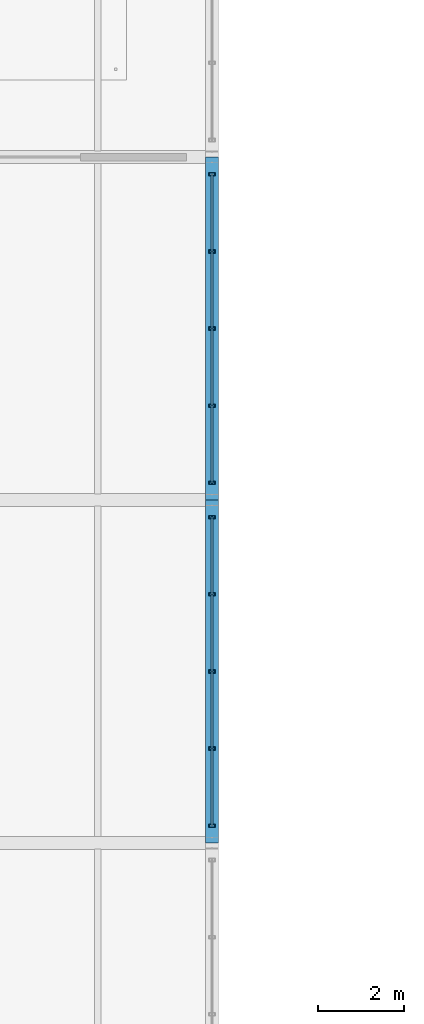
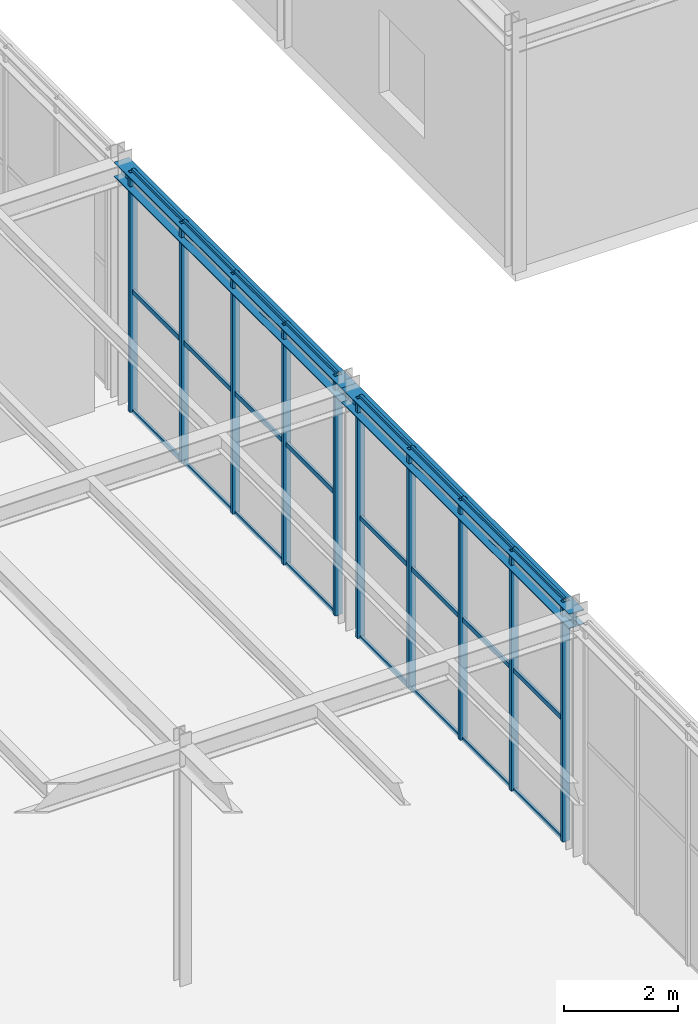
# One storey, part 48 of 129: 34 members, 2 beams, 2 elements without a shape of their own.
"""IFC4 building model written with IfcOpenShell, lengths in metres."""

import ifcopenshell
import ifcopenshell.guid

model = None  # the IFC model being written
_history = None  # IfcOwnerHistory: only IFC2X3 demands one
_inside = {}  # id of a spatial element -> (the spatial element, [elements in it])
_under = {}  # id of a project, library or spatial element -> (it, [spatial elements below it])
_declared = {}  # id of a project -> (the project, [libraries it declares])
_typed = {}  # id of a type object -> (the type object, [elements of that type])
_made_of = {}  # id of a material, layer set ... -> (it, [elements and type objects made of it])


def new_model(schema):
    """Start an empty IFC model of exactly this schema.

    Asked for "IFC4X3", IfcOpenShell would pick the latest addendum, in which some entities
    have other attributes; the version numbers below select the first issue.
    IFC2X3 requires an IfcOwnerHistory on every rooted entity: one is made here for all.
    """
    global model, _history
    if schema == "IFC4X3":
        model = ifcopenshell.file(schema_version=(4, 3, 0, 0))
    else:
        model = ifcopenshell.file(schema=schema)
    _inside.clear()
    _under.clear()
    _declared.clear()
    _typed.clear()
    _made_of.clear()
    _history = None
    if model.schema == "IFC2X3":
        org = make("IfcOrganization", Name="unknown")
        user = make(
            "IfcPersonAndOrganization",
            ThePerson=make("IfcPerson", FamilyName="unknown"),
            TheOrganization=org,
        )
        app = make(
            "IfcApplication",
            ApplicationDeveloper=org,
            Version="unknown",
            ApplicationFullName="unknown",
            ApplicationIdentifier="unknown",
        )
        _history = make(
            "IfcOwnerHistory",
            OwningUser=user,
            OwningApplication=app,
            ChangeAction="ADDED",
            CreationDate=0,
        )
    return model


def make(cls, **values):
    """One entity of the class cls with the attributes given. An attribute that is None is left unset."""
    return model.create_entity(
        cls, **{name: value for name, value in values.items() if value is not None}
    )


def rooted(cls, **values):
    """An entity with a GlobalId (a new one), such as an element, a storey or a relation."""
    return make(cls, GlobalId=ifcopenshell.guid.new(), OwnerHistory=_history, **values)


def si_unit(unit_type, name, prefix=None):
    """IfcSIUnit, for example si_unit("LENGTHUNIT", "METRE", prefix="MILLI")."""
    return make("IfcSIUnit", UnitType=unit_type, Prefix=prefix, Name=name)


def assignment(units):
    """IfcUnitAssignment: the units of a project."""
    return None if units is None else make("IfcUnitAssignment", Units=units)


def point(xyz):
    """IfcCartesianPoint."""
    return None if xyz is None else make("IfcCartesianPoint", Coordinates=xyz)


def direction(xyz):
    """IfcDirection."""
    return None if xyz is None else make("IfcDirection", DirectionRatios=xyz)


def frame(location, z_axis=None, x_axis=None):
    """IfcAxis2Placement3D, a coordinate frame: its origin and axes. An axis left out is left unset."""
    return make(
        "IfcAxis2Placement3D",
        Location=point(location),
        Axis=direction(z_axis),
        RefDirection=direction(x_axis),
    )


def frame_2d(location, x_axis=None):
    """IfcAxis2Placement2D, a coordinate frame in the plane: its origin and x axis."""
    return make(
        "IfcAxis2Placement2D", Location=point(location), RefDirection=direction(x_axis)
    )


def origin():
    """The frame at (0, 0, 0) with its axes left unset."""
    return frame((0.0, 0.0, 0.0))


def origin_2d():
    """The frame at (0, 0) in the plane with its x axis left unset."""
    return frame_2d((0.0, 0.0))


def place(relative_to, where):
    """IfcLocalPlacement: puts the frame where relative to a parent placement (None: the world)."""
    return make(
        "IfcLocalPlacement", PlacementRelTo=relative_to, RelativePlacement=where
    )


def context(
    kind, dimensions, precision=None, world=None, true_north=None, identifier=None
):
    """IfcGeometricRepresentationContext, for example the 3D "Model" context."""
    return make(
        "IfcGeometricRepresentationContext",
        ContextIdentifier=identifier,
        ContextType=kind,
        CoordinateSpaceDimension=dimensions,
        Precision=precision,
        WorldCoordinateSystem=world,
        TrueNorth=true_north,
    )


def subcontext(parent, identifier, kind, view, scale=None):
    """IfcGeometricRepresentationSubContext, for example "Body" below "Model"."""
    return make(
        "IfcGeometricRepresentationSubContext",
        ContextIdentifier=identifier,
        ContextType=kind,
        ParentContext=parent,
        TargetScale=scale,
        TargetView=view,
    )


def project(units=None, contexts=None):
    """IfcProject with its units and contexts."""
    return rooted(
        "IfcProject",
        Name="project",
        RepresentationContexts=contexts,
        UnitsInContext=assignment(units),
    )


def spatial(cls, under=None, at=None, **own):
    """A site, building, storey or space (cls), placed at a placement, below another one or the project."""
    s = rooted(cls, ObjectPlacement=at, **own)
    if under is not None:
        _under.setdefault(under.id(), (under, []))[1].append(s)
    return s


def profile(cls, at=None, kind="AREA", **sizes):
    """A parametric profile (cls). Its sizes go by their IFC names, for example OverallWidth=200.0."""
    return make(cls, ProfileType=kind, Position=at, **sizes)


def hollow_rectangle(**sizes):
    """IfcRectangleHollowProfileDef."""
    return profile("IfcRectangleHollowProfileDef", **sizes)


def i_section(**sizes):
    """IfcIShapeProfileDef."""
    return profile("IfcIShapeProfileDef", **sizes)


def extrude(swept, where, along, depth):
    """IfcExtrudedAreaSolid: the profile swept, set in the frame where, extruded along a direction by depth."""
    return make(
        "IfcExtrudedAreaSolid",
        SweptArea=swept,
        Position=where,
        ExtrudedDirection=direction(along),
        Depth=depth,
    )


def shape(context_of_items, identifier, shape_type, items):
    """IfcShapeRepresentation: the items that make up one representation, for example the "Body"."""
    return make(
        "IfcShapeRepresentation",
        ContextOfItems=context_of_items,
        RepresentationIdentifier=identifier,
        RepresentationType=shape_type,
        Items=items,
    )


def material(Name=None, Category=None):
    """IfcMaterial."""
    return make("IfcMaterial", Name=Name, Category=Category)


def material_profile(
    of_material, cross_section, Name=None, Category=None, Priority=None
):
    """IfcMaterialProfile: a cross section and its material."""
    return make(
        "IfcMaterialProfile",
        Name=Name,
        Material=of_material,
        Profile=cross_section,
        Priority=Priority,
        Category=Category,
    )


def profile_set(profiles, Name=None, composite=None):
    """IfcMaterialProfileSet."""
    return make(
        "IfcMaterialProfileSet",
        Name=Name,
        MaterialProfiles=profiles,
        CompositeProfile=composite,
    )


def made_of(thing, what):
    """Note that an element or type object is made of a material, layer set ...; save() writes the relation."""
    if what is not None:
        _made_of.setdefault(what.id(), (what, []))[1].append(thing)
    return thing


def type_object(cls, material=None, **own):
    """A type object (cls), such as IfcWallType, which elements share."""
    return made_of(rooted(cls, **own), material)


def element(
    cls,
    number,
    at=None,
    inside=None,
    cuts=None,
    type_object=None,
    material=None,
    context=None,
    identifier="Body",
    shape_type=None,
    held_by="IfcProductDefinitionShape",
    body=None,
    shapes=None,
    **own,
):
    """One element of the class cls, such as IfcWall. Its Tag is "e" and its number.

    at: its placement. inside: the storey or other place that contains it. cuts: it is an
    opening in that element (IfcRelVoidsElement). A single representation is given by context,
    identifier, shape_type and body (its items); several are given by shapes. held_by: the class
    of the entity that holds the representations. save() writes the other relations.
    """
    e = rooted(cls, Tag="e%d" % number, ObjectPlacement=at, **own)
    if body is not None:
        shapes = [shape(context, identifier, shape_type, body)]
    if shapes is not None:
        e.Representation = make(held_by, Representations=shapes)
    if inside is not None:
        _inside.setdefault(inside.id(), (inside, []))[1].append(e)
    if cuts is not None:
        rooted(
            "IfcRelVoidsElement", RelatingBuildingElement=cuts, RelatedOpeningElement=e
        )
    if type_object is not None:
        _typed.setdefault(type_object.id(), (type_object, []))[1].append(e)
    return made_of(e, material)


def aggregate(whole, parts):
    """IfcRelAggregates: a whole, such as a stair, and the parts it consists of."""
    return rooted("IfcRelAggregates", RelatingObject=whole, RelatedObjects=parts)


def save(model, path):
    """Write the relations noted so far, then the file.

    IfcRelAggregates (storeys below a building ...), IfcRelContainedInSpatialStructure (elements
    in a storey), IfcRelDefinesByType, IfcRelAssociatesMaterial and IfcRelDeclares: one each for
    every whole, place, type object, material and project.
    """
    for whole, parts in _under.values():
        aggregate(whole, parts)
    for where, things in _inside.values():
        rooted(
            "IfcRelContainedInSpatialStructure",
            RelatedElements=things,
            RelatingStructure=where,
        )
    for kind, things in _typed.values():
        rooted("IfcRelDefinesByType", RelatedObjects=things, RelatingType=kind)
    for what, things in _made_of.values():
        rooted("IfcRelAssociatesMaterial", RelatedObjects=things, RelatingMaterial=what)
    for by, libraries in _declared.values():
        rooted("IfcRelDeclares", RelatingContext=by, RelatedDefinitions=libraries)
    model.write(path)


model = new_model("IFC4")

# Units and contexts
model_context = context("Model", 3, precision=1e-05, world=origin(), true_north=direction((0.0, 1.0)))
body_context = subcontext(model_context, "Body", "Model", "MODEL_VIEW")
ifc_project = project(units=[si_unit("LENGTHUNIT", "METRE"), si_unit("AREAUNIT", "SQUARE_METRE"), si_unit("VOLUMEUNIT", "CUBIC_METRE"), si_unit("PLANEANGLEUNIT", "RADIAN"), si_unit("MASSUNIT", "GRAM", prefix="KILO")], contexts=[model_context])

# Site, building, storey
site_placement = place(None, origin())
site = spatial("IfcSite", under=ifc_project, at=site_placement, CompositionType="ELEMENT")
building_placement = place(site_placement, origin())
building = spatial("IfcBuilding", under=site, at=building_placement, Name="Sundkrona Museum", CompositionType="ELEMENT")
storey_placement = place(building_placement, origin())
storey = spatial("IfcBuildingStorey", under=building, at=storey_placement, Name="L00", CompositionType="ELEMENT", Elevation=0.0)

# Curtain wall, members
ifc_material_1 = material(Name="Unitised Aluminium-Steel and Ceramic-Clad Curtain Walling", Category="steel")
curtain_wall_type = type_object("IfcCurtainWallType", Name="CW-PS-74x48", PredefinedType="NOTDEFINED", material=ifc_material_1)
curtain_wall_1_placement = place(storey_placement, origin())
curtain_wall_1 = element("IfcCurtainWall", 1, at=curtain_wall_1_placement, inside=storey, type_object=curtain_wall_type, Name="L00 Curtain Wall CW-L00-099", PredefinedType="NOTDEFINED")
ifc_material_2 = material(Name="Aluminium EN AW-6060 T66", Category="aluminium")
ifc_material_profile_1 = material_profile(ifc_material_2, hollow_rectangle(XDim=0.074951171875, YDim=0.14990234375, WallThickness=0.00634765625, at=origin_2d()), Name="RHS 150x75x6.3")
ifc_profile_set_1 = profile_set([ifc_material_profile_1], Name="Aluminium EN AW-6060 T66")
member_type_1 = type_object("IfcMemberType", Name="ML-150", PredefinedType="MULLION", material=ifc_profile_set_1)
member_1_placement = place(storey_placement, frame((96.0, 62.39990234375, -0.00390625), z_axis=(0.0, 0.0, 1.0), x_axis=(0.0, 1.0, 0.0)))
member_1 = element("IfcMember", 2, at=member_1_placement, type_object=member_type_1, Name="CW-L00-099 Mullion 01", PredefinedType="MULLION", context=body_context, shape_type="SweptSolid", body=[
    extrude(hollow_rectangle(XDim=0.074951171875, YDim=0.14990234375, WallThickness=0.00634765625, at=origin_2d()), origin(), (0.0, 0.0, 1.0), 5.14794921875),
])
member_2_placement = place(storey_placement, frame((96.0, 64.199951171875, -0.00390625), z_axis=(0.0, 0.0, 1.0), x_axis=(0.0, 1.0, 0.0)))
member_2 = element("IfcMember", 3, at=member_2_placement, type_object=member_type_1, Name="CW-L00-099 Mullion 02", PredefinedType="MULLION", context=body_context, shape_type="SweptSolid", body=[
    extrude(hollow_rectangle(XDim=0.074951171875, YDim=0.14990234375, WallThickness=0.00634765625, at=origin_2d()), origin(), (0.0, 0.0, 1.0), 5.14794921875),
])
member_3_placement = place(storey_placement, frame((96.0, 66.0, -0.00390625), z_axis=(0.0, 0.0, 1.0), x_axis=(0.0, 1.0, 0.0)))
member_3 = element("IfcMember", 4, at=member_3_placement, type_object=member_type_1, Name="CW-L00-099 Mullion 03", PredefinedType="MULLION", context=body_context, shape_type="SweptSolid", body=[
    extrude(hollow_rectangle(XDim=0.074951171875, YDim=0.14990234375, WallThickness=0.00634765625, at=origin_2d()), origin(), (0.0, 0.0, 1.0), 5.14794921875),
])
member_4_placement = place(storey_placement, frame((96.0, 67.800048828125, -0.00390625), z_axis=(0.0, 0.0, 1.0), x_axis=(0.0, 1.0, 0.0)))
member_4 = element("IfcMember", 5, at=member_4_placement, type_object=member_type_1, Name="CW-L00-099 Mullion 04", PredefinedType="MULLION", context=body_context, shape_type="SweptSolid", body=[
    extrude(hollow_rectangle(XDim=0.074951171875, YDim=0.14990234375, WallThickness=0.00634765625, at=origin_2d()), origin(), (0.0, 0.0, 1.0), 5.14794921875),
])
member_5_placement = place(storey_placement, frame((96.0, 69.60009765625, -0.00390625), z_axis=(0.0, 0.0, 1.0), x_axis=(0.0, 1.0, 0.0)))
member_5 = element("IfcMember", 6, at=member_5_placement, type_object=member_type_1, Name="CW-L00-099 Mullion 05", PredefinedType="MULLION", context=body_context, shape_type="SweptSolid", body=[
    extrude(hollow_rectangle(XDim=0.074951171875, YDim=0.14990234375, WallThickness=0.00634765625, at=origin_2d()), origin(), (0.0, 0.0, 1.0), 5.14794921875),
])

curtain_wall_2_placement = place(storey_placement, origin())
curtain_wall_2 = element("IfcCurtainWall", 7, at=curtain_wall_2_placement, inside=storey, type_object=curtain_wall_type, Name="L00 Curtain Wall CW-L00-101", PredefinedType="NOTDEFINED")
member_6_placement = place(storey_placement, frame((96.0, 70.39990234375, -0.00390625), z_axis=(0.0, 0.0, 1.0), x_axis=(0.0, 1.0, 0.0)))
member_6 = element("IfcMember", 8, at=member_6_placement, type_object=member_type_1, Name="CW-L00-101 Mullion 01", PredefinedType="MULLION", context=body_context, shape_type="SweptSolid", body=[
    extrude(hollow_rectangle(XDim=0.074951171875, YDim=0.14990234375, WallThickness=0.00634765625, at=origin_2d()), origin(), (0.0, 0.0, 1.0), 5.14794921875),
])
member_7_placement = place(storey_placement, frame((96.0, 72.199951171875, -0.00390625), z_axis=(0.0, 0.0, 1.0), x_axis=(0.0, 1.0, 0.0)))
member_7 = element("IfcMember", 9, at=member_7_placement, type_object=member_type_1, Name="CW-L00-101 Mullion 02", PredefinedType="MULLION", context=body_context, shape_type="SweptSolid", body=[
    extrude(hollow_rectangle(XDim=0.074951171875, YDim=0.14990234375, WallThickness=0.00634765625, at=origin_2d()), origin(), (0.0, 0.0, 1.0), 5.14794921875),
])
member_8_placement = place(storey_placement, frame((96.0, 74.0, -0.00390625), z_axis=(0.0, 0.0, 1.0), x_axis=(0.0, 1.0, 0.0)))
member_8 = element("IfcMember", 10, at=member_8_placement, type_object=member_type_1, Name="CW-L00-101 Mullion 03", PredefinedType="MULLION", context=body_context, shape_type="SweptSolid", body=[
    extrude(hollow_rectangle(XDim=0.074951171875, YDim=0.14990234375, WallThickness=0.00634765625, at=origin_2d()), origin(), (0.0, 0.0, 1.0), 5.14794921875),
])
member_9_placement = place(storey_placement, frame((96.0, 75.800048828125, -0.00390625), z_axis=(0.0, 0.0, 1.0), x_axis=(0.0, 1.0, 0.0)))
member_9 = element("IfcMember", 11, at=member_9_placement, type_object=member_type_1, Name="CW-L00-101 Mullion 04", PredefinedType="MULLION", context=body_context, shape_type="SweptSolid", body=[
    extrude(hollow_rectangle(XDim=0.074951171875, YDim=0.14990234375, WallThickness=0.00634765625, at=origin_2d()), origin(), (0.0, 0.0, 1.0), 5.14794921875),
])
member_10_placement = place(storey_placement, frame((96.0, 77.60009765625, -0.00390625), z_axis=(0.0, 0.0, 1.0), x_axis=(0.0, 1.0, 0.0)))
member_10 = element("IfcMember", 12, at=member_10_placement, type_object=member_type_1, Name="CW-L00-101 Mullion 05", PredefinedType="MULLION", context=body_context, shape_type="SweptSolid", body=[
    extrude(hollow_rectangle(XDim=0.074951171875, YDim=0.14990234375, WallThickness=0.00634765625, at=origin_2d()), origin(), (0.0, 0.0, 1.0), 5.14794921875),
])

# Beams
ifc_material_3 = material(Name="Steel S355J2", Category="steel")
ifc_material_profile_2 = material_profile(ifc_material_3, i_section(OverallWidth=0.300048828125, OverallDepth=0.320068359375, WebThickness=0.011474609375, FlangeThickness=0.0205078125, FilletRadius=0.027099609375, at=origin_2d()), Name="HEB 320")
ifc_profile_set_2 = profile_set([ifc_material_profile_2], Name="Steel S355J2")
beam_type = type_object("IfcBeamType", Name="SP-HEB320", PredefinedType="SPANDREL", material=ifc_profile_set_2)
for number, where, z_axis, x_axis, name in (
    (13, (96.0, 62.0, 4.97998046875), (0.0, 1.0, 0.0), (-1.0, 0.0, 0.0), "L00 Girder Y-0704"),
    (14, (96.0, 70.0, 4.97998046875), (0.0, 1.0, 0.0), (-1.0, 0.0, 0.0), "L00 Girder Y-0705"),
):
    element("IfcBeam", number, at=place(storey_placement, frame(where, z_axis=z_axis, x_axis=x_axis)), inside=storey, type_object=beam_type, Name=name, PredefinedType="SPANDREL", context=body_context, shape_type="SweptSolid", body=[
        extrude(i_section(OverallWidth=0.300048828125, OverallDepth=0.320068359375, WebThickness=0.011474609375, FlangeThickness=0.0205078125, FilletRadius=0.027099609375, at=origin_2d()), origin(), (0.0, 0.0, 1.0), 8.0),
    ])

# Member
ifc_material_profile_3 = material_profile(ifc_material_2, hollow_rectangle(XDim=0.050048828125, YDim=0.10009765625, WallThickness=0.0048828125, at=origin_2d()), Name="RHS 100x50x5.0")
ifc_profile_set_3 = profile_set([ifc_material_profile_3], Name="Aluminium EN AW-6060 T66")
member_type_2 = type_object("IfcMemberType", Name="TR-100", PredefinedType="USERDEFINED", material=ifc_profile_set_3)
member_11_placement = place(storey_placement, frame((96.0, 62.39990234375, -0.00390625), z_axis=(0.0, 1.0, 0.0), x_axis=(-1.0, 0.0, 0.0)))
member_11 = element("IfcMember", 15, at=member_11_placement, type_object=member_type_2, Name="CW-L00-099 Transom 01", ObjectType="TRANSOM", PredefinedType="USERDEFINED", context=body_context, shape_type="SweptSolid", body=[
    extrude(hollow_rectangle(XDim=0.050048828125, YDim=0.10009765625, WallThickness=0.0048828125, at=origin_2d()), origin(), (0.0, 0.0, 1.0), 1.800048828125),
])

member_12_placement = place(storey_placement, frame((96.0, 62.39990234375, 2.570068359375), z_axis=(0.0, 1.0, 0.0), x_axis=(-1.0, 0.0, 0.0)))
member_12 = element("IfcMember", 16, at=member_12_placement, type_object=member_type_2, Name="CW-L00-099 Transom 02", ObjectType="TRANSOM", PredefinedType="USERDEFINED", context=body_context, shape_type="SweptSolid", body=[
    extrude(hollow_rectangle(XDim=0.050048828125, YDim=0.10009765625, WallThickness=0.0048828125, at=origin_2d()), origin(), (0.0, 0.0, 1.0), 1.800048828125),
])

member_13_placement = place(storey_placement, frame((96.0, 62.39990234375, 5.14404296875), z_axis=(0.0, 1.0, 0.0), x_axis=(-1.0, 0.0, 0.0)))
member_13 = element("IfcMember", 17, at=member_13_placement, type_object=member_type_2, Name="CW-L00-099 Transom 03", ObjectType="TRANSOM", PredefinedType="USERDEFINED", context=body_context, shape_type="SweptSolid", body=[
    extrude(hollow_rectangle(XDim=0.050048828125, YDim=0.10009765625, WallThickness=0.0048828125, at=origin_2d()), origin(), (0.0, 0.0, 1.0), 1.800048828125),
])

member_14_placement = place(storey_placement, frame((96.0, 64.199951171875, -0.00390625), z_axis=(0.0, 1.0, 0.0), x_axis=(-1.0, 0.0, 0.0)))
member_14 = element("IfcMember", 18, at=member_14_placement, type_object=member_type_2, Name="CW-L00-099 Transom 04", ObjectType="TRANSOM", PredefinedType="USERDEFINED", context=body_context, shape_type="SweptSolid", body=[
    extrude(hollow_rectangle(XDim=0.050048828125, YDim=0.10009765625, WallThickness=0.0048828125, at=origin_2d()), origin(), (0.0, 0.0, 1.0), 1.800048828125),
])

member_15_placement = place(storey_placement, frame((96.0, 64.199951171875, 2.570068359375), z_axis=(0.0, 1.0, 0.0), x_axis=(-1.0, 0.0, 0.0)))
member_15 = element("IfcMember", 19, at=member_15_placement, type_object=member_type_2, Name="CW-L00-099 Transom 05", ObjectType="TRANSOM", PredefinedType="USERDEFINED", context=body_context, shape_type="SweptSolid", body=[
    extrude(hollow_rectangle(XDim=0.050048828125, YDim=0.10009765625, WallThickness=0.0048828125, at=origin_2d()), origin(), (0.0, 0.0, 1.0), 1.800048828125),
])

member_16_placement = place(storey_placement, frame((96.0, 64.199951171875, 5.14404296875), z_axis=(0.0, 1.0, 0.0), x_axis=(-1.0, 0.0, 0.0)))
member_16 = element("IfcMember", 20, at=member_16_placement, type_object=member_type_2, Name="CW-L00-099 Transom 06", ObjectType="TRANSOM", PredefinedType="USERDEFINED", context=body_context, shape_type="SweptSolid", body=[
    extrude(hollow_rectangle(XDim=0.050048828125, YDim=0.10009765625, WallThickness=0.0048828125, at=origin_2d()), origin(), (0.0, 0.0, 1.0), 1.800048828125),
])

member_17_placement = place(storey_placement, frame((96.0, 66.0, -0.00390625), z_axis=(0.0, 1.0, 0.0), x_axis=(-1.0, 0.0, 0.0)))
member_17 = element("IfcMember", 21, at=member_17_placement, type_object=member_type_2, Name="CW-L00-099 Transom 07", ObjectType="TRANSOM", PredefinedType="USERDEFINED", context=body_context, shape_type="SweptSolid", body=[
    extrude(hollow_rectangle(XDim=0.050048828125, YDim=0.10009765625, WallThickness=0.0048828125, at=origin_2d()), origin(), (0.0, 0.0, 1.0), 1.800048828125),
])

member_18_placement = place(storey_placement, frame((96.0, 66.0, 2.570068359375), z_axis=(0.0, 1.0, 0.0), x_axis=(-1.0, 0.0, 0.0)))
member_18 = element("IfcMember", 22, at=member_18_placement, type_object=member_type_2, Name="CW-L00-099 Transom 08", ObjectType="TRANSOM", PredefinedType="USERDEFINED", context=body_context, shape_type="SweptSolid", body=[
    extrude(hollow_rectangle(XDim=0.050048828125, YDim=0.10009765625, WallThickness=0.0048828125, at=origin_2d()), origin(), (0.0, 0.0, 1.0), 1.800048828125),
])

member_19_placement = place(storey_placement, frame((96.0, 66.0, 5.14404296875), z_axis=(0.0, 1.0, 0.0), x_axis=(-1.0, 0.0, 0.0)))
member_19 = element("IfcMember", 23, at=member_19_placement, type_object=member_type_2, Name="CW-L00-099 Transom 09", ObjectType="TRANSOM", PredefinedType="USERDEFINED", context=body_context, shape_type="SweptSolid", body=[
    extrude(hollow_rectangle(XDim=0.050048828125, YDim=0.10009765625, WallThickness=0.0048828125, at=origin_2d()), origin(), (0.0, 0.0, 1.0), 1.800048828125),
])

member_20_placement = place(storey_placement, frame((96.0, 67.800048828125, -0.00390625), z_axis=(0.0, 1.0, 0.0), x_axis=(-1.0, 0.0, 0.0)))
member_20 = element("IfcMember", 24, at=member_20_placement, type_object=member_type_2, Name="CW-L00-099 Transom 10", ObjectType="TRANSOM", PredefinedType="USERDEFINED", context=body_context, shape_type="SweptSolid", body=[
    extrude(hollow_rectangle(XDim=0.050048828125, YDim=0.10009765625, WallThickness=0.0048828125, at=origin_2d()), origin(), (0.0, 0.0, 1.0), 1.800048828125),
])

member_21_placement = place(storey_placement, frame((96.0, 67.800048828125, 2.570068359375), z_axis=(0.0, 1.0, 0.0), x_axis=(-1.0, 0.0, 0.0)))
member_21 = element("IfcMember", 25, at=member_21_placement, type_object=member_type_2, Name="CW-L00-099 Transom 11", ObjectType="TRANSOM", PredefinedType="USERDEFINED", context=body_context, shape_type="SweptSolid", body=[
    extrude(hollow_rectangle(XDim=0.050048828125, YDim=0.10009765625, WallThickness=0.0048828125, at=origin_2d()), origin(), (0.0, 0.0, 1.0), 1.800048828125),
])

member_22_placement = place(storey_placement, frame((96.0, 67.800048828125, 5.14404296875), z_axis=(0.0, 1.0, 0.0), x_axis=(-1.0, 0.0, 0.0)))
member_22 = element("IfcMember", 26, at=member_22_placement, type_object=member_type_2, Name="CW-L00-099 Transom 12", ObjectType="TRANSOM", PredefinedType="USERDEFINED", context=body_context, shape_type="SweptSolid", body=[
    extrude(hollow_rectangle(XDim=0.050048828125, YDim=0.10009765625, WallThickness=0.0048828125, at=origin_2d()), origin(), (0.0, 0.0, 1.0), 1.800048828125),
])

aggregate(curtain_wall_1, [member_1, member_2, member_3, member_4, member_5, member_11, member_12, member_13, member_14, member_15, member_16, member_17, member_18, member_19, member_20, member_21, member_22])

member_23_placement = place(storey_placement, frame((96.0, 70.39990234375, -0.00390625), z_axis=(0.0, 1.0, 0.0), x_axis=(-1.0, 0.0, 0.0)))
member_23 = element("IfcMember", 27, at=member_23_placement, type_object=member_type_2, Name="CW-L00-101 Transom 01", ObjectType="TRANSOM", PredefinedType="USERDEFINED", context=body_context, shape_type="SweptSolid", body=[
    extrude(hollow_rectangle(XDim=0.050048828125, YDim=0.10009765625, WallThickness=0.0048828125, at=origin_2d()), origin(), (0.0, 0.0, 1.0), 1.800048828125),
])

member_24_placement = place(storey_placement, frame((96.0, 70.39990234375, 2.570068359375), z_axis=(0.0, 1.0, 0.0), x_axis=(-1.0, 0.0, 0.0)))
member_24 = element("IfcMember", 28, at=member_24_placement, type_object=member_type_2, Name="CW-L00-101 Transom 02", ObjectType="TRANSOM", PredefinedType="USERDEFINED", context=body_context, shape_type="SweptSolid", body=[
    extrude(hollow_rectangle(XDim=0.050048828125, YDim=0.10009765625, WallThickness=0.0048828125, at=origin_2d()), origin(), (0.0, 0.0, 1.0), 1.800048828125),
])

member_25_placement = place(storey_placement, frame((96.0, 70.39990234375, 5.14404296875), z_axis=(0.0, 1.0, 0.0), x_axis=(-1.0, 0.0, 0.0)))
member_25 = element("IfcMember", 29, at=member_25_placement, type_object=member_type_2, Name="CW-L00-101 Transom 03", ObjectType="TRANSOM", PredefinedType="USERDEFINED", context=body_context, shape_type="SweptSolid", body=[
    extrude(hollow_rectangle(XDim=0.050048828125, YDim=0.10009765625, WallThickness=0.0048828125, at=origin_2d()), origin(), (0.0, 0.0, 1.0), 1.800048828125),
])

member_26_placement = place(storey_placement, frame((96.0, 72.199951171875, -0.00390625), z_axis=(0.0, 1.0, 0.0), x_axis=(-1.0, 0.0, 0.0)))
member_26 = element("IfcMember", 30, at=member_26_placement, type_object=member_type_2, Name="CW-L00-101 Transom 04", ObjectType="TRANSOM", PredefinedType="USERDEFINED", context=body_context, shape_type="SweptSolid", body=[
    extrude(hollow_rectangle(XDim=0.050048828125, YDim=0.10009765625, WallThickness=0.0048828125, at=origin_2d()), origin(), (0.0, 0.0, 1.0), 1.800048828125),
])

member_27_placement = place(storey_placement, frame((96.0, 72.199951171875, 2.570068359375), z_axis=(0.0, 1.0, 0.0), x_axis=(-1.0, 0.0, 0.0)))
member_27 = element("IfcMember", 31, at=member_27_placement, type_object=member_type_2, Name="CW-L00-101 Transom 05", ObjectType="TRANSOM", PredefinedType="USERDEFINED", context=body_context, shape_type="SweptSolid", body=[
    extrude(hollow_rectangle(XDim=0.050048828125, YDim=0.10009765625, WallThickness=0.0048828125, at=origin_2d()), origin(), (0.0, 0.0, 1.0), 1.800048828125),
])

member_28_placement = place(storey_placement, frame((96.0, 72.199951171875, 5.14404296875), z_axis=(0.0, 1.0, 0.0), x_axis=(-1.0, 0.0, 0.0)))
member_28 = element("IfcMember", 32, at=member_28_placement, type_object=member_type_2, Name="CW-L00-101 Transom 06", ObjectType="TRANSOM", PredefinedType="USERDEFINED", context=body_context, shape_type="SweptSolid", body=[
    extrude(hollow_rectangle(XDim=0.050048828125, YDim=0.10009765625, WallThickness=0.0048828125, at=origin_2d()), origin(), (0.0, 0.0, 1.0), 1.800048828125),
])

member_29_placement = place(storey_placement, frame((96.0, 74.0, -0.00390625), z_axis=(0.0, 1.0, 0.0), x_axis=(-1.0, 0.0, 0.0)))
member_29 = element("IfcMember", 33, at=member_29_placement, type_object=member_type_2, Name="CW-L00-101 Transom 07", ObjectType="TRANSOM", PredefinedType="USERDEFINED", context=body_context, shape_type="SweptSolid", body=[
    extrude(hollow_rectangle(XDim=0.050048828125, YDim=0.10009765625, WallThickness=0.0048828125, at=origin_2d()), origin(), (0.0, 0.0, 1.0), 1.800048828125),
])

member_30_placement = place(storey_placement, frame((96.0, 74.0, 2.570068359375), z_axis=(0.0, 1.0, 0.0), x_axis=(-1.0, 0.0, 0.0)))
member_30 = element("IfcMember", 34, at=member_30_placement, type_object=member_type_2, Name="CW-L00-101 Transom 08", ObjectType="TRANSOM", PredefinedType="USERDEFINED", context=body_context, shape_type="SweptSolid", body=[
    extrude(hollow_rectangle(XDim=0.050048828125, YDim=0.10009765625, WallThickness=0.0048828125, at=origin_2d()), origin(), (0.0, 0.0, 1.0), 1.800048828125),
])

member_31_placement = place(storey_placement, frame((96.0, 74.0, 5.14404296875), z_axis=(0.0, 1.0, 0.0), x_axis=(-1.0, 0.0, 0.0)))
member_31 = element("IfcMember", 35, at=member_31_placement, type_object=member_type_2, Name="CW-L00-101 Transom 09", ObjectType="TRANSOM", PredefinedType="USERDEFINED", context=body_context, shape_type="SweptSolid", body=[
    extrude(hollow_rectangle(XDim=0.050048828125, YDim=0.10009765625, WallThickness=0.0048828125, at=origin_2d()), origin(), (0.0, 0.0, 1.0), 1.800048828125),
])

member_32_placement = place(storey_placement, frame((96.0, 75.800048828125, -0.00390625), z_axis=(0.0, 1.0, 0.0), x_axis=(-1.0, 0.0, 0.0)))
member_32 = element("IfcMember", 36, at=member_32_placement, type_object=member_type_2, Name="CW-L00-101 Transom 10", ObjectType="TRANSOM", PredefinedType="USERDEFINED", context=body_context, shape_type="SweptSolid", body=[
    extrude(hollow_rectangle(XDim=0.050048828125, YDim=0.10009765625, WallThickness=0.0048828125, at=origin_2d()), origin(), (0.0, 0.0, 1.0), 1.800048828125),
])

member_33_placement = place(storey_placement, frame((96.0, 75.800048828125, 2.570068359375), z_axis=(0.0, 1.0, 0.0), x_axis=(-1.0, 0.0, 0.0)))
member_33 = element("IfcMember", 37, at=member_33_placement, type_object=member_type_2, Name="CW-L00-101 Transom 11", ObjectType="TRANSOM", PredefinedType="USERDEFINED", context=body_context, shape_type="SweptSolid", body=[
    extrude(hollow_rectangle(XDim=0.050048828125, YDim=0.10009765625, WallThickness=0.0048828125, at=origin_2d()), origin(), (0.0, 0.0, 1.0), 1.800048828125),
])

member_34_placement = place(storey_placement, frame((96.0, 75.800048828125, 5.14404296875), z_axis=(0.0, 1.0, 0.0), x_axis=(-1.0, 0.0, 0.0)))
member_34 = element("IfcMember", 38, at=member_34_placement, type_object=member_type_2, Name="CW-L00-101 Transom 12", ObjectType="TRANSOM", PredefinedType="USERDEFINED", context=body_context, shape_type="SweptSolid", body=[
    extrude(hollow_rectangle(XDim=0.050048828125, YDim=0.10009765625, WallThickness=0.0048828125, at=origin_2d()), origin(), (0.0, 0.0, 1.0), 1.800048828125),
])

aggregate(curtain_wall_2, [member_6, member_7, member_8, member_9, member_10, member_23, member_24, member_25, member_26, member_27, member_28, member_29, member_30, member_31, member_32, member_33, member_34])

save(model, "model.ifc")
